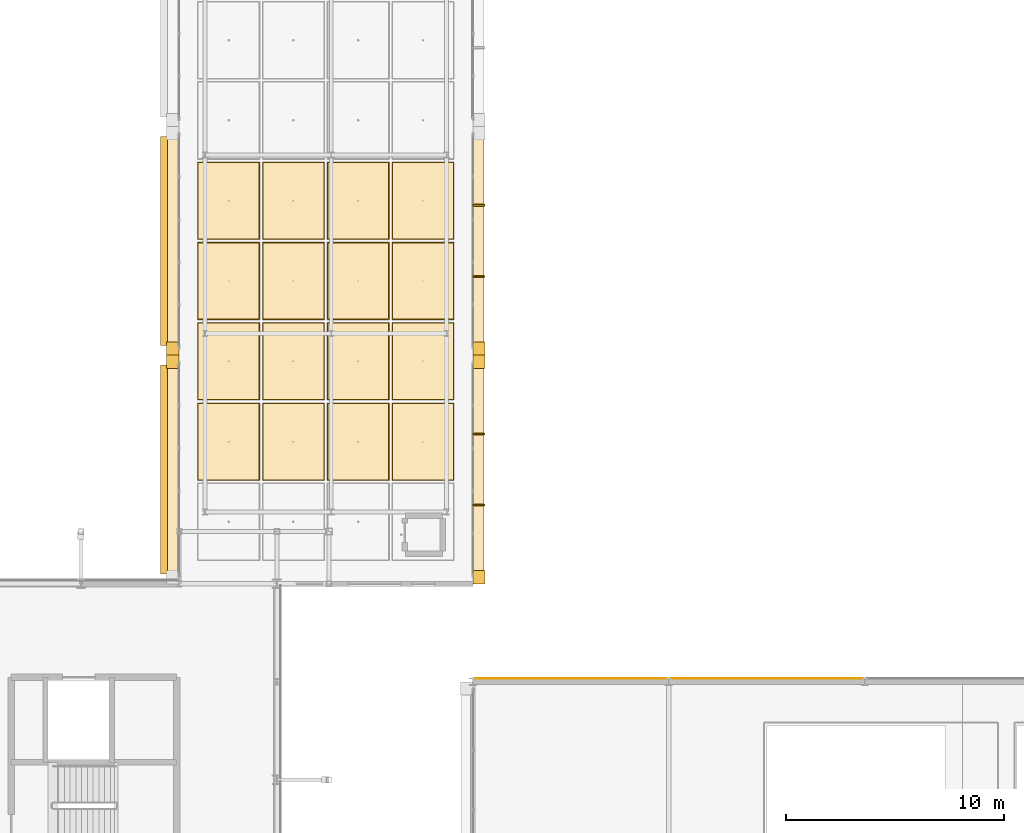
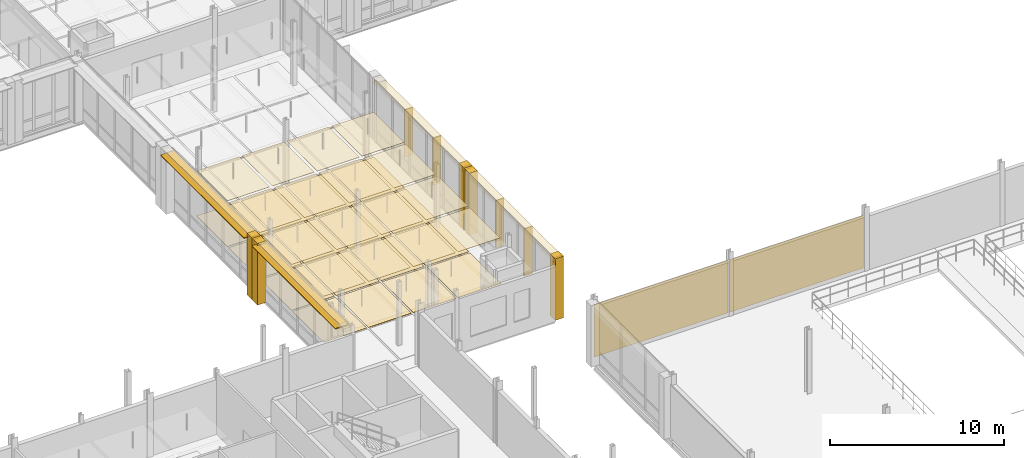
# One storey, part 122 of 130: 43 coverings, 6 shading devices.
"""IFC4 building model written with IfcOpenShell, lengths in metres."""

from ifc_helpers import new_model, si_unit, direction, frame, origin, origin_2d, place, context, subcontext, project, spatial, rectangle, extrude, material, layer, layer_set, type_object, element, save


model = new_model("IFC4")

# Units and contexts
model_context = context("Model", 3, precision=1e-05, world=origin(), true_north=direction((0.0, 1.0)))
body_context = subcontext(model_context, "Body", "Model", "MODEL_VIEW")
ifc_project = project(units=[si_unit("LENGTHUNIT", "METRE"), si_unit("AREAUNIT", "SQUARE_METRE"), si_unit("VOLUMEUNIT", "CUBIC_METRE"), si_unit("PLANEANGLEUNIT", "RADIAN"), si_unit("MASSUNIT", "GRAM", prefix="KILO"), si_unit("THERMODYNAMICTEMPERATUREUNIT", "KELVIN"), si_unit("POWERUNIT", "WATT")], contexts=[model_context])

# Site, building, storey
site_placement = place(None, origin())
site = spatial("IfcSite", under=ifc_project, at=site_placement, CompositionType="ELEMENT")
building_placement = place(site_placement, origin())
building = spatial("IfcBuilding", under=site, at=building_placement, Name="Tallowbark Science Centre", CompositionType="ELEMENT")
storey_placement = place(building_placement, frame((0.0, 0.0, 5.39990234375)))
storey = spatial("IfcBuildingStorey", under=building, at=storey_placement, Name="L01", CompositionType="ELEMENT", Elevation=5.39990234375)

# Coverings
ifc_material_1 = material(Name="Perforated Spotted Gum Acoustic Baffle Ceiling", Category="wood")
ifc_layer_1 = layer(ifc_material_1, 0.02490234375)
ifc_layer_set_1 = layer_set([ifc_layer_1], Name="Perforated Spotted Gum Acoustic Baffle Ceiling")
covering_type_1 = type_object("IfcCoveringType", Name="CLG-TIM-25", PredefinedType="CEILING", material=ifc_layer_set_1)
for number, where, z_axis, x_axis, name in (
    (1, (101.28759765625, 47.03125, 3.187744140625), (0.0, 0.0, 1.0), (1.0, 0.0, 0.0), "Suspended Ceiling L01-564"),
    (2, (101.28759765625, 50.71875, 3.187744140625), (0.0, 0.0, 1.0), (1.0, 0.0, 0.0), "Suspended Ceiling L01-565"),
    (3, (101.28759765625, 54.40625, 3.187744140625), (0.0, 0.0, 1.0), (1.0, 0.0, 0.0), "Suspended Ceiling L01-566"),
    (4, (101.28759765625, 58.09375, 3.187744140625), (0.0, 0.0, 1.0), (1.0, 0.0, 0.0), "Suspended Ceiling L01-567"),
    (5, (104.262451171875, 47.03125, 3.187744140625), (0.0, 0.0, 1.0), (1.0, 0.0, 0.0), "Suspended Ceiling L01-572"),
    (6, (104.262451171875, 50.71875, 3.187744140625), (0.0, 0.0, 1.0), (1.0, 0.0, 0.0), "Suspended Ceiling L01-573"),
    (7, (104.262451171875, 54.40625, 3.187744140625), (0.0, 0.0, 1.0), (1.0, 0.0, 0.0), "Suspended Ceiling L01-574"),
    (8, (104.262451171875, 58.09375, 3.187744140625), (0.0, 0.0, 1.0), (1.0, 0.0, 0.0), "Suspended Ceiling L01-575"),
    (9, (107.237548828125, 47.03125, 3.187744140625), (0.0, 0.0, 1.0), (1.0, 0.0, 0.0), "Suspended Ceiling L01-580"),
    (10, (107.237548828125, 50.71875, 3.187744140625), (0.0, 0.0, 1.0), (1.0, 0.0, 0.0), "Suspended Ceiling L01-581"),
    (11, (107.237548828125, 54.40625, 3.187744140625), (0.0, 0.0, 1.0), (1.0, 0.0, 0.0), "Suspended Ceiling L01-582"),
    (12, (107.237548828125, 58.09375, 3.187744140625), (0.0, 0.0, 1.0), (1.0, 0.0, 0.0), "Suspended Ceiling L01-583"),
    (13, (110.21240234375, 47.03125, 3.187744140625), (0.0, 0.0, 1.0), (1.0, 0.0, 0.0), "Suspended Ceiling L01-588"),
    (14, (110.21240234375, 50.71875, 3.187744140625), (0.0, 0.0, 1.0), (1.0, 0.0, 0.0), "Suspended Ceiling L01-589"),
    (15, (110.21240234375, 54.40625, 3.187744140625), (0.0, 0.0, 1.0), (1.0, 0.0, 0.0), "Suspended Ceiling L01-590"),
    (16, (110.21240234375, 58.09375, 3.187744140625), (0.0, 0.0, 1.0), (1.0, 0.0, 0.0), "Suspended Ceiling L01-591"),
):
    element("IfcCovering", number, at=place(storey_placement, frame(where, z_axis=z_axis, x_axis=x_axis)), inside=storey, type_object=covering_type_1, Name=name, PredefinedType="CEILING", context=body_context, shape_type="SweptSolid", body=[
        extrude(rectangle(XDim=2.794921875, YDim=3.507568359375, at=origin_2d()), origin(), (0.0, 0.0, 1.0), 0.02490234375),
    ])
ifc_material_2 = material(Name="White Architectural Precast Concrete Grade N40 (40 MPa)", Category="concrete")
ifc_layer_2 = layer(ifc_material_2, 0.1201171875)
ifc_layer_set_2 = layer_set([ifc_layer_2], Name="White Architectural Precast Concrete Grade N40 (40 MPa)")
covering_type_2 = type_object("IfcCoveringType", Name="COV-PRC-CLAD", PredefinedType="CLADDING", material=ifc_layer_set_2)
for number, where, z_axis, x_axis, name in (
    (17, (98.719970703125, 50.695068359375, 0.0), (0.0, 0.0, 1.0), (0.0, -1.0, 0.0), "Postmodern Deep Precast Pier CW-L01-010-1"),
    (18, (112.780029296875, 40.804931640625, 0.0), (0.0, 0.0, 1.0), (0.0, 1.0, 0.0), "Postmodern Deep Precast Pier CW-L01-011-1"),
    (19, (112.780029296875, 50.695068359375, 0.0), (0.0, 0.0, 1.0), (0.0, 1.0, 0.0), "Postmodern Deep Precast Pier CW-L01-011-2"),
    (20, (98.719970703125, 51.304931640625, 0.0), (0.0, 0.0, 1.0), (0.0, -1.0, 0.0), "Postmodern Deep Precast Pier CW-L01-012-2"),
    (21, (112.780029296875, 51.304931640625, 0.0), (0.0, 0.0, 1.0), (0.0, 1.0, 0.0), "Postmodern Deep Precast Pier CW-L01-013-1"),
):
    element("IfcCovering", number, at=place(storey_placement, frame(where, z_axis=z_axis, x_axis=x_axis)), inside=storey, type_object=covering_type_2, Name=name, PredefinedType="CLADDING", context=body_context, shape_type="SweptSolid", body=[
        extrude(rectangle(XDim=0.610107421875, YDim=0.56005859375, at=origin_2d()), origin(), (0.0, 0.0, 1.0), 4.320068359375),
    ])
ifc_material_3 = material(Name="Vitrified Ochre Terracotta Architectural Rainscreen", Category="masonry")
ifc_layer_3 = layer(ifc_material_3, 0.0380859375)
ifc_layer_set_3 = layer_set([ifc_layer_3], Name="Vitrified Ochre Terracotta Architectural Rainscreen")
covering_type_3 = type_object("IfcCoveringType", Name="COV-TER-CLAD", PredefinedType="CLADDING", material=ifc_layer_set_3)
for number, where, z_axis, x_axis, name in (
    (22, (117.0, 36.151611328125, 0.050048828125), (0.0, 0.0, 1.0), (-1.0, 0.0, 0.0), "Architectural Rainscreen THT-N-L01-0"),
    (23, (126.0, 36.151611328125, 0.050048828125), (0.0, 0.0, 1.0), (-1.0, 0.0, 0.0), "Architectural Rainscreen THT-N-L01-1"),
):
    element("IfcCovering", number, at=place(storey_placement, frame(where, z_axis=z_axis, x_axis=x_axis)), inside=storey, type_object=covering_type_3, Name=name, PredefinedType="CLADDING", context=body_context, shape_type="SweptSolid", body=[
        extrude(rectangle(XDim=8.8798828125, YDim=0.0380859375, at=origin_2d()), origin(), (0.0, 0.0, 1.0), 3.68115234375),
    ])
for number, where, z_axis, x_axis, name in (
    (24, (98.739990234375, 45.75, 3.97021484375), (0.0, 0.0, 1.0), (0.0, -1.0, 0.0), "Postmodern Terracotta Cornice Band CW-L01-010"),
    (25, (112.760009765625, 45.75, 3.97021484375), (0.0, 0.0, 1.0), (0.0, 1.0, 0.0), "Postmodern Terracotta Cornice Band CW-L01-011"),
    (26, (98.739990234375, 56.25, 3.97021484375), (0.0, 0.0, 1.0), (0.0, -1.0, 0.0), "Postmodern Terracotta Cornice Band CW-L01-012"),
    (27, (112.760009765625, 56.25, 3.97021484375), (0.0, 0.0, 1.0), (0.0, 1.0, 0.0), "Postmodern Terracotta Cornice Band CW-L01-013"),
):
    element("IfcCovering", number, at=place(storey_placement, frame(where, z_axis=z_axis, x_axis=x_axis)), inside=storey, type_object=covering_type_3, Name=name, PredefinedType="CLADDING", context=body_context, shape_type="SweptSolid", body=[
        extrude(rectangle(XDim=10.199951171875, YDim=0.52001953125, at=origin_2d()), origin(), (0.0, 0.0, 1.0), 0.340087890625),
    ])
ifc_material_4 = material(Name="Polished Recycled-Glass Terrazzo Foyer Flooring", Category="glass")
ifc_layer_4 = layer(ifc_material_4, 0.02001953125)
ifc_layer_set_4 = layer_set([ifc_layer_4], Name="Polished Recycled-Glass Terrazzo Foyer Flooring")
covering_type_4 = type_object("IfcCoveringType", Name="FLR-TER-20", PredefinedType="FLOORING", material=ifc_layer_set_4)
for number, where, z_axis, x_axis, name in (
    (28, (101.28759765625, 47.03125, 0.0), (0.0, 0.0, 1.0), (1.0, 0.0, 0.0), "Floor Finish L01-564"),
    (29, (101.28759765625, 50.71875, 0.0), (0.0, 0.0, 1.0), (1.0, 0.0, 0.0), "Floor Finish L01-565"),
    (30, (101.28759765625, 54.40625, 0.0), (0.0, 0.0, 1.0), (1.0, 0.0, 0.0), "Floor Finish L01-566"),
    (31, (101.28759765625, 58.09375, 0.0), (0.0, 0.0, 1.0), (1.0, 0.0, 0.0), "Floor Finish L01-567"),
    (32, (104.262451171875, 47.03125, 0.0), (0.0, 0.0, 1.0), (1.0, 0.0, 0.0), "Floor Finish L01-572"),
    (33, (104.262451171875, 50.71875, 0.0), (0.0, 0.0, 1.0), (1.0, 0.0, 0.0), "Floor Finish L01-573"),
    (34, (104.262451171875, 54.40625, 0.0), (0.0, 0.0, 1.0), (1.0, 0.0, 0.0), "Floor Finish L01-574"),
    (35, (104.262451171875, 58.09375, 0.0), (0.0, 0.0, 1.0), (1.0, 0.0, 0.0), "Floor Finish L01-575"),
    (36, (107.237548828125, 47.03125, 0.0), (0.0, 0.0, 1.0), (1.0, 0.0, 0.0), "Floor Finish L01-580"),
    (37, (107.237548828125, 50.71875, 0.0), (0.0, 0.0, 1.0), (1.0, 0.0, 0.0), "Floor Finish L01-581"),
    (38, (107.237548828125, 54.40625, 0.0), (0.0, 0.0, 1.0), (1.0, 0.0, 0.0), "Floor Finish L01-582"),
    (39, (107.237548828125, 58.09375, 0.0), (0.0, 0.0, 1.0), (1.0, 0.0, 0.0), "Floor Finish L01-583"),
    (40, (110.21240234375, 47.03125, 0.0), (0.0, 0.0, 1.0), (1.0, 0.0, 0.0), "Floor Finish L01-588"),
    (41, (110.21240234375, 50.71875, 0.0), (0.0, 0.0, 1.0), (1.0, 0.0, 0.0), "Floor Finish L01-589"),
    (42, (110.21240234375, 54.40625, 0.0), (0.0, 0.0, 1.0), (1.0, 0.0, 0.0), "Floor Finish L01-590"),
    (43, (110.21240234375, 58.09375, 0.0), (0.0, 0.0, 1.0), (1.0, 0.0, 0.0), "Floor Finish L01-591"),
):
    element("IfcCovering", number, at=place(storey_placement, frame(where, z_axis=z_axis, x_axis=x_axis)), inside=storey, type_object=covering_type_4, Name=name, PredefinedType="FLOORING", context=body_context, shape_type="SweptSolid", body=[
        extrude(rectangle(XDim=2.85498046875, YDim=3.5673828125, at=origin_2d()), origin(), (0.0, 0.0, 1.0), 0.02001953125),
    ])

# Shading devices
ifc_material_5 = material(Name="Sandstone-Finished Architectural Aluminium Solar Fin", Category="masonry")
shading_device_type_1 = type_object("IfcShadingDeviceType", Name="SHD-FIN-400", PredefinedType="JALOUSIE", material=ifc_material_5)
for number, where, z_axis, x_axis, name in (
    (44, (112.780029296875, 44.11669921875, 0.92529296875), (0.0, 0.0, 1.0), (0.0, 1.0, 0.0), "Vertical Solar Fin CW-L01-011-1"),
    (45, (112.780029296875, 47.38330078125, 0.92529296875), (0.0, 0.0, 1.0), (0.0, 1.0, 0.0), "Vertical Solar Fin CW-L01-011-2"),
    (46, (112.780029296875, 54.61669921875, 0.92529296875), (0.0, 0.0, 1.0), (0.0, 1.0, 0.0), "Vertical Solar Fin CW-L01-013-1"),
    (47, (112.780029296875, 57.88330078125, 0.92529296875), (0.0, 0.0, 1.0), (0.0, 1.0, 0.0), "Vertical Solar Fin CW-L01-013-2"),
):
    element("IfcShadingDevice", number, at=place(storey_placement, frame(where, z_axis=z_axis, x_axis=x_axis)), inside=storey, type_object=shading_device_type_1, Name=name, PredefinedType="JALOUSIE", context=body_context, shape_type="SweptSolid", body=[
        extrude(rectangle(XDim=0.074951171875, YDim=0.550048828125, at=origin_2d()), origin(), (0.0, 0.0, 1.0), 3.320068359375),
    ])
ifc_material_6 = material(Name="Terracotta-Anodised Extruded Aluminium Sunshade Blade", Category="masonry")
ifc_layer_5 = layer(ifc_material_6, 0.054931640625)
ifc_layer_set_5 = layer_set([ifc_layer_5], Name="Terracotta-Anodised Extruded Aluminium Sunshade Blade")
shading_device_type_2 = type_object("IfcShadingDeviceType", Name="SHD-LVR-300", PredefinedType="AWNING", material=ifc_layer_set_5)
for number, where, z_axis, x_axis, name in (
    (48, (98.580078125, 45.75, 4.1328125), (0.0, 0.0, 1.0), (0.0, -1.0, 0.0), "Horizontal Solar Louvre Hood CW-L01-010"),
    (49, (98.580078125, 56.25, 4.1328125), (0.0, 0.0, 1.0), (0.0, -1.0, 0.0), "Horizontal Solar Louvre Hood CW-L01-012"),
):
    element("IfcShadingDevice", number, at=place(storey_placement, frame(where, z_axis=z_axis, x_axis=x_axis)), inside=storey, type_object=shading_device_type_2, Name=name, PredefinedType="AWNING", context=body_context, shape_type="SweptSolid", body=[
        extrude(rectangle(XDim=9.60009765625, YDim=0.840087890625, at=origin_2d()), origin(), (0.0, 0.0, 1.0), 0.054931640625),
    ])

save(model, "model.ifc")
